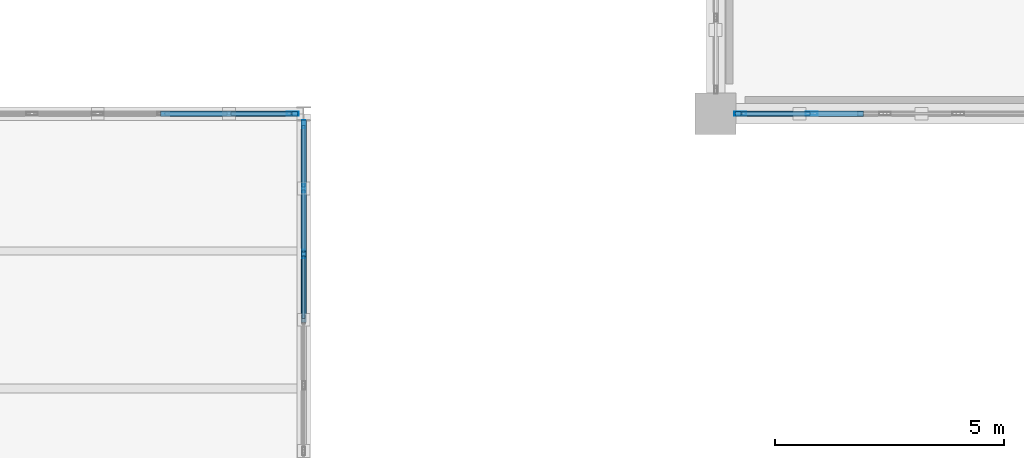
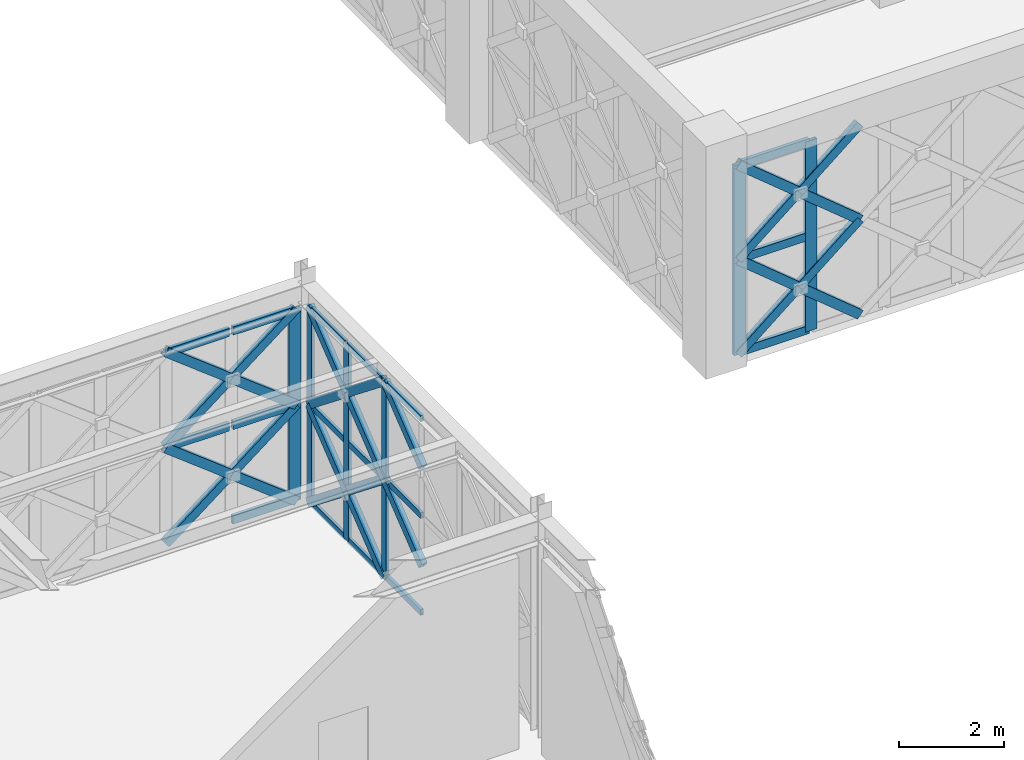
# One storey, part 48 of 155: 43 members, 3 elements without a shape of their own.
"""IFC4 building model written with IfcOpenShell, lengths in metres."""

from ifc_helpers import new_model, si_unit, direction, frame, origin, origin_2d, place, context, subcontext, project, spatial, hollow_rectangle, extrude, material, material_profile, profile_set, type_object, element, aggregate, save


model = new_model("IFC4")

# Units and contexts
model_context = context("Model", 3, precision=1e-05, world=origin(), true_north=direction((0.0, 1.0)))
body_context = subcontext(model_context, "Body", "Model", "MODEL_VIEW")
ifc_project = project(units=[si_unit("LENGTHUNIT", "METRE"), si_unit("AREAUNIT", "SQUARE_METRE"), si_unit("VOLUMEUNIT", "CUBIC_METRE"), si_unit("PLANEANGLEUNIT", "RADIAN"), si_unit("MASSUNIT", "GRAM", prefix="KILO")], contexts=[model_context])

# Site, building, storey
site_placement = place(None, origin())
site = spatial("IfcSite", under=ifc_project, at=site_placement, CompositionType="ELEMENT")
building_placement = place(site_placement, origin())
building = spatial("IfcBuilding", under=site, at=building_placement, Name="Haizhuo Lancet Aquarium", CompositionType="ELEMENT")
storey_placement = place(building_placement, frame((0.0, 0.0, 10.800048828125)))
storey = spatial("IfcBuildingStorey", under=building, at=storey_placement, Name="L02", CompositionType="ELEMENT", Elevation=10.800048828125)

# Curtain wall, members
ifc_material_1 = material(Name="Aluminium 6063-T6", Category="aluminium")
curtain_wall_type_1 = type_object("IfcCurtainWallType", Name="CWO-8610x4560", PredefinedType="NOTDEFINED", material=ifc_material_1)
curtain_wall_1_placement = place(storey_placement, origin())
curtain_wall_1 = element("IfcCurtainWall", 1, at=curtain_wall_1_placement, inside=storey, type_object=curtain_wall_type_1, Name="L02 curtain wall CW-V4-L02-106", PredefinedType="NOTDEFINED")
ifc_material_profile_1 = material_profile(ifc_material_1, hollow_rectangle(XDim=0.06494140625, YDim=0.179931640625, WallThickness=0.00390625, at=origin_2d()), Name="ALU-M 65x180x4")
ifc_profile_set_1 = profile_set([ifc_material_profile_1], Name="Aluminium 6063-T6")
member_type_1 = type_object("IfcMemberType", Name="CW-MUL-1", PredefinedType="MULLION", material=ifc_profile_set_1)
member_1_placement = place(storey_placement, frame((18.0, -36.22705078125, 0.0), z_axis=(0.0, 0.0, 1.0), x_axis=(1.0, 0.0, 0.0)))
member_1 = element("IfcMember", 2, at=member_1_placement, type_object=member_type_1, Name="CWO-86x45 mullion 1", PredefinedType="MULLION", context=body_context, shape_type="SweptSolid", body=[
    extrude(hollow_rectangle(XDim=0.06494140625, YDim=0.179931640625, WallThickness=0.00390625, at=origin_2d()), origin(), (0.0, 0.0, 1.0), 4.56201171875),
])
member_2_placement = place(storey_placement, frame((18.0, -37.6298828125, 0.0), z_axis=(0.0, 0.0, 1.0), x_axis=(1.0, 0.0, 0.0)))
member_2 = element("IfcMember", 3, at=member_2_placement, type_object=member_type_1, Name="CWO-86x45 mullion 2", PredefinedType="MULLION", context=body_context, shape_type="SweptSolid", body=[
    extrude(hollow_rectangle(XDim=0.06494140625, YDim=0.179931640625, WallThickness=0.00390625, at=origin_2d()), origin(), (0.0, 0.0, 1.0), 4.56201171875),
])
member_3_placement = place(storey_placement, frame((18.0, -39.06494140625, 0.0), z_axis=(0.0, 0.0, 1.0), x_axis=(1.0, 0.0, 0.0)))
member_3 = element("IfcMember", 4, at=member_3_placement, type_object=member_type_1, Name="CWO-86x45 mullion 3", PredefinedType="MULLION", context=body_context, shape_type="SweptSolid", body=[
    extrude(hollow_rectangle(XDim=0.06494140625, YDim=0.179931640625, WallThickness=0.00390625, at=origin_2d()), origin(), (0.0, 0.0, 1.0), 4.56201171875),
])

curtain_wall_type_2 = type_object("IfcCurtainWallType", Name="CWO-8010x4410", PredefinedType="NOTDEFINED", material=ifc_material_1)
curtain_wall_2_placement = place(storey_placement, origin())
curtain_wall_2 = element("IfcCurtainWall", 5, at=curtain_wall_2_placement, inside=storey, type_object=curtain_wall_type_2, Name="L02 curtain wall CW-V3-L02-063", PredefinedType="NOTDEFINED")
ifc_material_profile_2 = material_profile(ifc_material_1, hollow_rectangle(XDim=0.080078125, YDim=0.260009765625, WallThickness=0.0048828125, at=origin_2d()), Name="ALU-M 80x260x5")
ifc_profile_set_2 = profile_set([ifc_material_profile_2], Name="Aluminium 6063-T6")
member_type_2 = type_object("IfcMemberType", Name="CW-MUL-3", PredefinedType="MULLION", material=ifc_profile_set_2)
member_4_placement = place(storey_placement, frame((29.096923828125, -36.0, 0.0), z_axis=(0.0, 0.0, 1.0), x_axis=(0.0, -1.0, 0.0)))
member_4 = element("IfcMember", 6, at=member_4_placement, type_object=member_type_2, Name="CWO-80x44 mullion 5", PredefinedType="MULLION", context=body_context, shape_type="SweptSolid", body=[
    extrude(hollow_rectangle(XDim=0.080078125, YDim=0.260009765625, WallThickness=0.0048828125, at=origin_2d()), origin(), (0.0, 0.0, 1.0), 4.409912109375),
])
member_5_placement = place(storey_placement, frame((27.534912109375, -36.0, 0.0), z_axis=(0.0, 0.0, 1.0), x_axis=(0.0, -1.0, 0.0)))
member_5 = element("IfcMember", 7, at=member_5_placement, type_object=member_type_2, Name="CWO-80x44 mullion 6", PredefinedType="MULLION", context=body_context, shape_type="SweptSolid", body=[
    extrude(hollow_rectangle(XDim=0.080078125, YDim=0.260009765625, WallThickness=0.0048828125, at=origin_2d()), origin(), (0.0, 0.0, 1.0), 4.409912109375),
])

# Curtain wall, member
curtain_wall_type_3 = type_object("IfcCurtainWallType", Name="CWO-8610x4460", PredefinedType="NOTDEFINED", material=ifc_material_1)
curtain_wall_3_placement = place(storey_placement, origin())
curtain_wall_3 = element("IfcCurtainWall", 8, at=curtain_wall_3_placement, inside=storey, type_object=curtain_wall_type_3, Name="L02 curtain wall CW-V4-L02-105", PredefinedType="NOTDEFINED")
member_6_placement = place(storey_placement, frame((17.764892578125, -36.0, 0.0), z_axis=(0.0, 0.0, 1.0), x_axis=(0.0, 1.0, 0.0)))
member_6 = element("IfcMember", 9, at=member_6_placement, type_object=member_type_2, Name="CWO-86x44 mullion 7", PredefinedType="MULLION", context=body_context, shape_type="SweptSolid", body=[
    extrude(hollow_rectangle(XDim=0.080078125, YDim=0.260009765625, WallThickness=0.0048828125, at=origin_2d()), origin(), (0.0, 0.0, 1.0), 4.4619140625),
])

# Member
ifc_material_profile_3 = material_profile(ifc_material_1, hollow_rectangle(XDim=0.06494140625, YDim=0.139892578125, WallThickness=0.00390625, at=origin_2d()), Name="ALU-T 65x140x4")
ifc_profile_set_3 = profile_set([ifc_material_profile_3], Name="Aluminium 6063-T6")
member_type_3 = type_object("IfcMemberType", Name="CW-TRN-1", PredefinedType="NOTDEFINED", material=ifc_profile_set_3)
member_7_placement = place(storey_placement, frame((18.0, -36.260009765625, 0.032958984375), z_axis=(0.0, -1.0, 0.0), x_axis=(1.0, 0.0, 0.0)))
member_7 = element("IfcMember", 10, at=member_7_placement, type_object=member_type_3, Name="CWO-86x45 transom 1.1", ObjectType="TRANSOM", PredefinedType="USERDEFINED", context=body_context, shape_type="SweptSolid", body=[
    extrude(hollow_rectangle(XDim=0.06494140625, YDim=0.139892578125, WallThickness=0.00390625, at=origin_2d()), origin(), (0.0, 0.0, 1.0), 1.3369140625),
])

member_8_placement = place(storey_placement, frame((18.0, -36.260009765625, 2.281005859375), z_axis=(0.0, -1.0, 0.0), x_axis=(1.0, 0.0, 0.0)))
member_8 = element("IfcMember", 11, at=member_8_placement, type_object=member_type_3, Name="CWO-86x45 transom 1.2", ObjectType="TRANSOM", PredefinedType="USERDEFINED", context=body_context, shape_type="SweptSolid", body=[
    extrude(hollow_rectangle(XDim=0.06494140625, YDim=0.139892578125, WallThickness=0.00390625, at=origin_2d()), origin(), (0.0, 0.0, 1.0), 1.3369140625),
])

member_9_placement = place(storey_placement, frame((18.0, -36.260009765625, 4.529052734375), z_axis=(0.0, -1.0, 0.0), x_axis=(1.0, 0.0, 0.0)))
member_9 = element("IfcMember", 12, at=member_9_placement, type_object=member_type_3, Name="CWO-86x45 transom 1.3", ObjectType="TRANSOM", PredefinedType="USERDEFINED", context=body_context, shape_type="SweptSolid", body=[
    extrude(hollow_rectangle(XDim=0.06494140625, YDim=0.139892578125, WallThickness=0.00390625, at=origin_2d()), origin(), (0.0, 0.0, 1.0), 1.3369140625),
])

member_10_placement = place(storey_placement, frame((18.0, -37.6630859375, 0.032958984375), z_axis=(0.0, -1.0, 0.0), x_axis=(1.0, 0.0, 0.0)))
member_10 = element("IfcMember", 13, at=member_10_placement, type_object=member_type_3, Name="CWO-86x45 transom 2.1", ObjectType="TRANSOM", PredefinedType="USERDEFINED", context=body_context, shape_type="SweptSolid", body=[
    extrude(hollow_rectangle(XDim=0.06494140625, YDim=0.139892578125, WallThickness=0.00390625, at=origin_2d()), origin(), (0.0, 0.0, 1.0), 1.368896484375),
])

member_11_placement = place(storey_placement, frame((18.0, -37.6630859375, 2.281005859375), z_axis=(0.0, -1.0, 0.0), x_axis=(1.0, 0.0, 0.0)))
member_11 = element("IfcMember", 14, at=member_11_placement, type_object=member_type_3, Name="CWO-86x45 transom 2.2", ObjectType="TRANSOM", PredefinedType="USERDEFINED", context=body_context, shape_type="SweptSolid", body=[
    extrude(hollow_rectangle(XDim=0.06494140625, YDim=0.139892578125, WallThickness=0.00390625, at=origin_2d()), origin(), (0.0, 0.0, 1.0), 1.368896484375),
])

member_12_placement = place(storey_placement, frame((18.0, -37.6630859375, 4.529052734375), z_axis=(0.0, -1.0, 0.0), x_axis=(1.0, 0.0, 0.0)))
member_12 = element("IfcMember", 15, at=member_12_placement, type_object=member_type_3, Name="CWO-86x45 transom 2.3", ObjectType="TRANSOM", PredefinedType="USERDEFINED", context=body_context, shape_type="SweptSolid", body=[
    extrude(hollow_rectangle(XDim=0.06494140625, YDim=0.139892578125, WallThickness=0.00390625, at=origin_2d()), origin(), (0.0, 0.0, 1.0), 1.368896484375),
])

member_13_placement = place(storey_placement, frame((18.0, -39.096923828125, 0.032958984375), z_axis=(0.0, -1.0, 0.0), x_axis=(1.0, 0.0, 0.0)))
member_13 = element("IfcMember", 16, at=member_13_placement, type_object=member_type_3, Name="CWO-86x45 transom 3.1", ObjectType="TRANSOM", PredefinedType="USERDEFINED", context=body_context, shape_type="SweptSolid", body=[
    extrude(hollow_rectangle(XDim=0.06494140625, YDim=0.139892578125, WallThickness=0.00390625, at=origin_2d()), origin(), (0.0, 0.0, 1.0), 1.37109375),
])

member_14_placement = place(storey_placement, frame((18.0, -39.096923828125, 2.281005859375), z_axis=(0.0, -1.0, 0.0), x_axis=(1.0, 0.0, 0.0)))
member_14 = element("IfcMember", 17, at=member_14_placement, type_object=member_type_3, Name="CWO-86x45 transom 3.2", ObjectType="TRANSOM", PredefinedType="USERDEFINED", context=body_context, shape_type="SweptSolid", body=[
    extrude(hollow_rectangle(XDim=0.06494140625, YDim=0.139892578125, WallThickness=0.00390625, at=origin_2d()), origin(), (0.0, 0.0, 1.0), 1.37109375),
])

member_15_placement = place(storey_placement, frame((18.0, -39.096923828125, 4.529052734375), z_axis=(0.0, -1.0, 0.0), x_axis=(1.0, 0.0, 0.0)))
member_15 = element("IfcMember", 18, at=member_15_placement, type_object=member_type_3, Name="CWO-86x45 transom 3.3", ObjectType="TRANSOM", PredefinedType="USERDEFINED", context=body_context, shape_type="SweptSolid", body=[
    extrude(hollow_rectangle(XDim=0.06494140625, YDim=0.139892578125, WallThickness=0.00390625, at=origin_2d()), origin(), (0.0, 0.0, 1.0), 1.37109375),
])

aggregate(curtain_wall_1, [member_1, member_2, member_3, member_7, member_8, member_9, member_10, member_11, member_12, member_13, member_14, member_15])

ifc_material_profile_4 = material_profile(ifc_material_1, hollow_rectangle(XDim=0.080078125, YDim=0.18994140625, WallThickness=0.0048828125, at=origin_2d()), Name="ALU-T 80x190x5")
ifc_profile_set_4 = profile_set([ifc_material_profile_4], Name="Aluminium 6063-T6")
member_type_4 = type_object("IfcMemberType", Name="CW-TRN-3", PredefinedType="NOTDEFINED", material=ifc_profile_set_4)
member_16_placement = place(storey_placement, frame((29.056884765625, -36.0, 0.0400390625), z_axis=(-1.0, 0.0, 0.0), x_axis=(0.0, -1.0, 0.0)))
member_16 = element("IfcMember", 19, at=member_16_placement, type_object=member_type_4, Name="CWO-80x44 transom 5.1", ObjectType="TRANSOM", PredefinedType="USERDEFINED", context=body_context, shape_type="SweptSolid", body=[
    extrude(hollow_rectangle(XDim=0.080078125, YDim=0.18994140625, WallThickness=0.0048828125, at=origin_2d()), origin(), (0.0, 0.0, 1.0), 1.48193359375),
])

member_17_placement = place(storey_placement, frame((29.056884765625, -36.0, 2.204833984375), z_axis=(-1.0, 0.0, 0.0), x_axis=(0.0, -1.0, 0.0)))
member_17 = element("IfcMember", 20, at=member_17_placement, type_object=member_type_4, Name="CWO-80x44 transom 5.2", ObjectType="TRANSOM", PredefinedType="USERDEFINED", context=body_context, shape_type="SweptSolid", body=[
    extrude(hollow_rectangle(XDim=0.080078125, YDim=0.18994140625, WallThickness=0.0048828125, at=origin_2d()), origin(), (0.0, 0.0, 1.0), 1.48193359375),
])

member_18_placement = place(storey_placement, frame((29.056884765625, -36.0, 4.369873046875), z_axis=(-1.0, 0.0, 0.0), x_axis=(0.0, -1.0, 0.0)))
member_18 = element("IfcMember", 21, at=member_18_placement, type_object=member_type_4, Name="CWO-80x44 transom 5.3", ObjectType="TRANSOM", PredefinedType="USERDEFINED", context=body_context, shape_type="SweptSolid", body=[
    extrude(hollow_rectangle(XDim=0.080078125, YDim=0.18994140625, WallThickness=0.0048828125, at=origin_2d()), origin(), (0.0, 0.0, 1.0), 1.48193359375),
])

aggregate(curtain_wall_2, [member_4, member_5, member_16, member_17, member_18])

member_19_placement = place(storey_placement, frame((14.97509765625, -36.0, 2.23095703125), z_axis=(1.0, 0.0, 0.0), x_axis=(0.0, 1.0, 0.0)))
member_19 = element("IfcMember", 22, at=member_19_placement, type_object=member_type_4, Name="CWO-86x44 transom 5.2", ObjectType="TRANSOM", PredefinedType="USERDEFINED", context=body_context, shape_type="SweptSolid", body=[
    extrude(hollow_rectangle(XDim=0.080078125, YDim=0.18994140625, WallThickness=0.0048828125, at=origin_2d()), origin(), (0.0, 0.0, 1.0), 1.35498046875),
])

member_20_placement = place(storey_placement, frame((14.97509765625, -36.0, 4.421875), z_axis=(1.0, 0.0, 0.0), x_axis=(0.0, 1.0, 0.0)))
member_20 = element("IfcMember", 23, at=member_20_placement, type_object=member_type_4, Name="CWO-86x44 transom 5.3", ObjectType="TRANSOM", PredefinedType="USERDEFINED", context=body_context, shape_type="SweptSolid", body=[
    extrude(hollow_rectangle(XDim=0.080078125, YDim=0.18994140625, WallThickness=0.0048828125, at=origin_2d()), origin(), (0.0, 0.0, 1.0), 1.35498046875),
])

member_21_placement = place(storey_placement, frame((16.409912109375, -36.0, 0.0400390625), z_axis=(1.0, 0.0, 0.0), x_axis=(0.0, 1.0, 0.0)))
member_21 = element("IfcMember", 24, at=member_21_placement, type_object=member_type_4, Name="CWO-86x44 transom 6.1", ObjectType="TRANSOM", PredefinedType="USERDEFINED", context=body_context, shape_type="SweptSolid", body=[
    extrude(hollow_rectangle(XDim=0.080078125, YDim=0.18994140625, WallThickness=0.0048828125, at=origin_2d()), origin(), (0.0, 0.0, 1.0), 1.315185546875),
])

member_22_placement = place(storey_placement, frame((16.409912109375, -36.0, 2.23095703125), z_axis=(1.0, 0.0, 0.0), x_axis=(0.0, 1.0, 0.0)))
member_22 = element("IfcMember", 25, at=member_22_placement, type_object=member_type_4, Name="CWO-86x44 transom 6.2", ObjectType="TRANSOM", PredefinedType="USERDEFINED", context=body_context, shape_type="SweptSolid", body=[
    extrude(hollow_rectangle(XDim=0.080078125, YDim=0.18994140625, WallThickness=0.0048828125, at=origin_2d()), origin(), (0.0, 0.0, 1.0), 1.315185546875),
])

member_23_placement = place(storey_placement, frame((16.409912109375, -36.0, 4.421875), z_axis=(1.0, 0.0, 0.0), x_axis=(0.0, 1.0, 0.0)))
member_23 = element("IfcMember", 26, at=member_23_placement, type_object=member_type_4, Name="CWO-86x44 transom 6.3", ObjectType="TRANSOM", PredefinedType="USERDEFINED", context=body_context, shape_type="SweptSolid", body=[
    extrude(hollow_rectangle(XDim=0.080078125, YDim=0.18994140625, WallThickness=0.0048828125, at=origin_2d()), origin(), (0.0, 0.0, 1.0), 1.315185546875),
])

aggregate(curtain_wall_3, [member_6, member_19, member_20, member_21, member_22, member_23])

# Members
ifc_material_2 = material(Name="Steel S355", Category="steel")
ifc_material_profile_5 = material_profile(ifc_material_2, hollow_rectangle(XDim=0.1201171875, YDim=0.199951171875, WallThickness=0.008056640625, at=origin_2d()), Name="RHS 120x200x8")
ifc_profile_set_5 = profile_set([ifc_material_profile_5], Name="Steel S355")
member_type_5 = type_object("IfcMemberType", Name="MEM-LB-RHS120x200", PredefinedType="BRACE", material=ifc_profile_set_5)
member_24_placement = place(storey_placement, frame((30.1650390625, -36.0, 0.0), z_axis=(-0.771068610934, 0.0, 0.636752068887), x_axis=(0.0, -1.0, 0.0)))
element("IfcMember", 27, at=member_24_placement, inside=storey, type_object=member_type_5, Name="Gothic lancet continuous diagonal brace CW-V3-L02-063 5A", PredefinedType="BRACE", context=body_context, shape_type="SweptSolid", body=[
    extrude(hollow_rectangle(XDim=0.1201171875, YDim=0.199951171875, WallThickness=0.008056640625, at=origin_2d()), origin(), (0.0, 0.0, 1.0), 3.462646484375),
])
member_25_placement = place(storey_placement, frame((27.4951171875, -36.0, 0.0), z_axis=(0.771172467693, 0.0, 0.63662628368), x_axis=(0.0, 1.0, 0.0)))
element("IfcMember", 28, at=member_25_placement, inside=storey, type_object=member_type_5, Name="Gothic lancet split diagonal brace CW-V3-L02-063 5B1", PredefinedType="BRACE", context=body_context, shape_type="SweptSolid", body=[
    extrude(hollow_rectangle(XDim=0.1201171875, YDim=0.199951171875, WallThickness=0.008056640625, at=origin_2d()), origin(), (0.0, 0.0, 1.0), 1.731201171875),
])
member_26_placement = place(storey_placement, frame((28.830078125, -36.0, 1.10205078125), z_axis=(0.77096476164, 0.0, 0.636877803279), x_axis=(0.0, 1.0, 0.0)))
element("IfcMember", 29, at=member_26_placement, inside=storey, type_object=member_type_5, Name="Gothic lancet split diagonal brace CW-V3-L02-063 5B2", PredefinedType="BRACE", context=body_context, shape_type="SweptSolid", body=[
    extrude(hollow_rectangle(XDim=0.1201171875, YDim=0.199951171875, WallThickness=0.008056640625, at=origin_2d()), origin(), (0.0, 0.0, 1.0), 1.7314453125),
])
member_27_placement = place(storey_placement, frame((30.1650390625, -36.0, 2.204833984375), z_axis=(-0.771033993673, 0.0, 0.636793985996), x_axis=(0.0, -1.0, 0.0)))
element("IfcMember", 30, at=member_27_placement, inside=storey, type_object=member_type_5, Name="Gothic lancet continuous diagonal brace CW-V3-L02-063 6A", PredefinedType="BRACE", context=body_context, shape_type="SweptSolid", body=[
    extrude(hollow_rectangle(XDim=0.1201171875, YDim=0.199951171875, WallThickness=0.008056640625, at=origin_2d()), origin(), (0.0, 0.0, 1.0), 3.462890625),
])
member_28_placement = place(storey_placement, frame((27.4951171875, -36.0, 2.204833984375), z_axis=(0.770895532931, 0.0, 0.636961597985), x_axis=(0.0, 1.0, 0.0)))
element("IfcMember", 31, at=member_28_placement, inside=storey, type_object=member_type_5, Name="Gothic lancet split diagonal brace CW-V3-L02-063 6B1", PredefinedType="BRACE", context=body_context, shape_type="SweptSolid", body=[
    extrude(hollow_rectangle(XDim=0.1201171875, YDim=0.199951171875, WallThickness=0.008056640625, at=origin_2d()), origin(), (0.0, 0.0, 1.0), 1.731689453125),
])
member_29_placement = place(storey_placement, frame((28.830078125, -36.0, 3.307861328125), z_axis=(0.771172467693, 0.0, 0.63662628368), x_axis=(0.0, 1.0, 0.0)))
element("IfcMember", 32, at=member_29_placement, inside=storey, type_object=member_type_5, Name="Gothic lancet split diagonal brace CW-V3-L02-063 6B2", PredefinedType="BRACE", context=body_context, shape_type="SweptSolid", body=[
    extrude(hollow_rectangle(XDim=0.1201171875, YDim=0.199951171875, WallThickness=0.008056640625, at=origin_2d()), origin(), (0.0, 0.0, 1.0), 1.731201171875),
])
member_30_placement = place(storey_placement, frame((14.93505859375, -36.0, 0.0), z_axis=(0.789507701538, 0.0, 0.613740653055), x_axis=(0.0, 1.0, 0.0)))
element("IfcMember", 33, at=member_30_placement, inside=storey, type_object=member_type_5, Name="Gothic lancet continuous diagonal brace CW-V4-L02-105 5A", PredefinedType="BRACE", context=body_context, shape_type="SweptSolid", body=[
    extrude(hollow_rectangle(XDim=0.1201171875, YDim=0.199951171875, WallThickness=0.008056640625, at=origin_2d()), origin(), (0.0, 0.0, 1.0), 3.635009765625),
])
member_31_placement = place(storey_placement, frame((17.804931640625, -36.0, 0.0), z_axis=(-0.789352217376, 0.0, 0.613940613515), x_axis=(0.0, -1.0, 0.0)))
element("IfcMember", 34, at=member_31_placement, inside=storey, type_object=member_type_5, Name="Gothic lancet split diagonal brace CW-V4-L02-105 5B1", PredefinedType="BRACE", context=body_context, shape_type="SweptSolid", body=[
    extrude(hollow_rectangle(XDim=0.1201171875, YDim=0.199951171875, WallThickness=0.008056640625, at=origin_2d()), origin(), (0.0, 0.0, 1.0), 1.817626953125),
])
member_32_placement = place(storey_placement, frame((16.3701171875, -36.0, 1.115966796875), z_axis=(-0.789663169817, 0.0, 0.613540608464), x_axis=(0.0, -1.0, 0.0)))
element("IfcMember", 35, at=member_32_placement, inside=storey, type_object=member_type_5, Name="Gothic lancet split diagonal brace CW-V4-L02-105 5B2", PredefinedType="BRACE", context=body_context, shape_type="SweptSolid", body=[
    extrude(hollow_rectangle(XDim=0.1201171875, YDim=0.199951171875, WallThickness=0.008056640625, at=origin_2d()), origin(), (0.0, 0.0, 1.0), 1.8173828125),
])
member_33_placement = place(storey_placement, frame((14.93505859375, -36.0, 2.23095703125), z_axis=(0.789507701538, 0.0, 0.613740653055), x_axis=(0.0, 1.0, 0.0)))
element("IfcMember", 36, at=member_33_placement, inside=storey, type_object=member_type_5, Name="Gothic lancet continuous diagonal brace CW-V4-L02-105 6A", PredefinedType="BRACE", context=body_context, shape_type="SweptSolid", body=[
    extrude(hollow_rectangle(XDim=0.1201171875, YDim=0.199951171875, WallThickness=0.008056640625, at=origin_2d()), origin(), (0.0, 0.0, 1.0), 3.635009765625),
])
member_34_placement = place(storey_placement, frame((17.804931640625, -36.0, 2.23095703125), z_axis=(-0.789612591073, 0.0, 0.613605700771), x_axis=(0.0, -1.0, 0.0)))
element("IfcMember", 37, at=member_34_placement, inside=storey, type_object=member_type_5, Name="Gothic lancet split diagonal brace CW-V4-L02-105 6B1", PredefinedType="BRACE", context=body_context, shape_type="SweptSolid", body=[
    extrude(hollow_rectangle(XDim=0.1201171875, YDim=0.199951171875, WallThickness=0.008056640625, at=origin_2d()), origin(), (0.0, 0.0, 1.0), 1.817138671875),
])
member_35_placement = place(storey_placement, frame((16.3701171875, -36.0, 3.345947265625), z_axis=(-0.789402834657, 0.0, 0.613875528618), x_axis=(0.0, -1.0, 0.0)))
element("IfcMember", 38, at=member_35_placement, inside=storey, type_object=member_type_5, Name="Gothic lancet split diagonal brace CW-V4-L02-105 6B2", PredefinedType="BRACE", context=body_context, shape_type="SweptSolid", body=[
    extrude(hollow_rectangle(XDim=0.1201171875, YDim=0.199951171875, WallThickness=0.008056640625, at=origin_2d()), origin(), (0.0, 0.0, 1.0), 1.81787109375),
])
member_36_placement = place(storey_placement, frame((18.0, -36.195068359375, 0.0), z_axis=(0.0, -0.78284654434, 0.622214824651), x_axis=(1.0, 0.0, 0.0)))
element("IfcMember", 39, at=member_36_placement, inside=storey, type_object=member_type_5, Name="Gothic lancet continuous diagonal brace CW-V4-L02-106 1A", PredefinedType="BRACE", context=body_context, shape_type="SweptSolid", body=[
    extrude(hollow_rectangle(XDim=0.1201171875, YDim=0.199951171875, WallThickness=0.008056640625, at=origin_2d()), origin(), (0.0, 0.0, 1.0), 3.666015625),
])
member_37_placement = place(storey_placement, frame((18.0, -39.06494140625, 0.0), z_axis=(0.0, 0.78277501707, 0.622304806868), x_axis=(-1.0, 0.0, 0.0)))
element("IfcMember", 40, at=member_37_placement, inside=storey, type_object=member_type_5, Name="Gothic lancet split diagonal brace CW-V4-L02-106 1B1", PredefinedType="BRACE", context=body_context, shape_type="SweptSolid", body=[
    extrude(hollow_rectangle(XDim=0.1201171875, YDim=0.199951171875, WallThickness=0.008056640625, at=origin_2d()), origin(), (0.0, 0.0, 1.0), 1.833251953125),
])
member_38_placement = place(storey_placement, frame((18.0, -37.6298828125, 1.140869140625), z_axis=(0.0, 0.782918086507, 0.622124802448), x_axis=(-1.0, 0.0, 0.0)))
element("IfcMember", 41, at=member_38_placement, inside=storey, type_object=member_type_5, Name="Gothic lancet split diagonal brace CW-V4-L02-106 1B2", PredefinedType="BRACE", context=body_context, shape_type="SweptSolid", body=[
    extrude(hollow_rectangle(XDim=0.1201171875, YDim=0.199951171875, WallThickness=0.008056640625, at=origin_2d()), origin(), (0.0, 0.0, 1.0), 1.832763671875),
])
member_39_placement = place(storey_placement, frame((18.0, -36.195068359375, 2.281005859375), z_axis=(0.0, -0.78284654434, 0.622214824651), x_axis=(1.0, 0.0, 0.0)))
element("IfcMember", 42, at=member_39_placement, inside=storey, type_object=member_type_5, Name="Gothic lancet continuous diagonal brace CW-V4-L02-106 2A", PredefinedType="BRACE", context=body_context, shape_type="SweptSolid", body=[
    extrude(hollow_rectangle(XDim=0.1201171875, YDim=0.199951171875, WallThickness=0.008056640625, at=origin_2d()), origin(), (0.0, 0.0, 1.0), 3.666015625),
])
member_40_placement = place(storey_placement, frame((18.0, -39.06494140625, 2.281005859375), z_axis=(0.0, 0.783034517143, 0.621978251198), x_axis=(-1.0, 0.0, 0.0)))
element("IfcMember", 43, at=member_40_placement, inside=storey, type_object=member_type_5, Name="Gothic lancet split diagonal brace CW-V4-L02-106 2B1", PredefinedType="BRACE", context=body_context, shape_type="SweptSolid", body=[
    extrude(hollow_rectangle(XDim=0.1201171875, YDim=0.199951171875, WallThickness=0.008056640625, at=origin_2d()), origin(), (0.0, 0.0, 1.0), 1.832763671875),
])
member_41_placement = place(storey_placement, frame((18.0, -37.6298828125, 3.4208984375), z_axis=(0.0, 0.782658558378, 0.62245126797), x_axis=(-1.0, 0.0, 0.0)))
element("IfcMember", 44, at=member_41_placement, inside=storey, type_object=member_type_5, Name="Gothic lancet split diagonal brace CW-V4-L02-106 2B2", PredefinedType="BRACE", context=body_context, shape_type="SweptSolid", body=[
    extrude(hollow_rectangle(XDim=0.1201171875, YDim=0.199951171875, WallThickness=0.008056640625, at=origin_2d()), origin(), (0.0, 0.0, 1.0), 1.833251953125),
])
member_42_placement = place(storey_placement, frame((18.0, -40.5, 1.140869140625), z_axis=(0.0, 0.782969638769, 0.62205992056), x_axis=(-1.0, 0.0, 0.0)))
element("IfcMember", 45, at=member_42_placement, inside=storey, type_object=member_type_5, Name="Gothic lancet split diagonal brace CW-V4-L02-106 3B2", PredefinedType="BRACE", context=body_context, shape_type="SweptSolid", body=[
    extrude(hollow_rectangle(XDim=0.1201171875, YDim=0.199951171875, WallThickness=0.008056640625, at=origin_2d()), origin(), (0.0, 0.0, 1.0), 1.832763671875),
])
member_43_placement = place(storey_placement, frame((18.0, -40.5, 3.4208984375), z_axis=(0.0, 0.782710147658, 0.622386395058), x_axis=(-1.0, 0.0, 0.0)))
element("IfcMember", 46, at=member_43_placement, inside=storey, type_object=member_type_5, Name="Gothic lancet split diagonal brace CW-V4-L02-106 4B2", PredefinedType="BRACE", context=body_context, shape_type="SweptSolid", body=[
    extrude(hollow_rectangle(XDim=0.1201171875, YDim=0.199951171875, WallThickness=0.008056640625, at=origin_2d()), origin(), (0.0, 0.0, 1.0), 1.83349609375),
])

save(model, "model.ifc")
